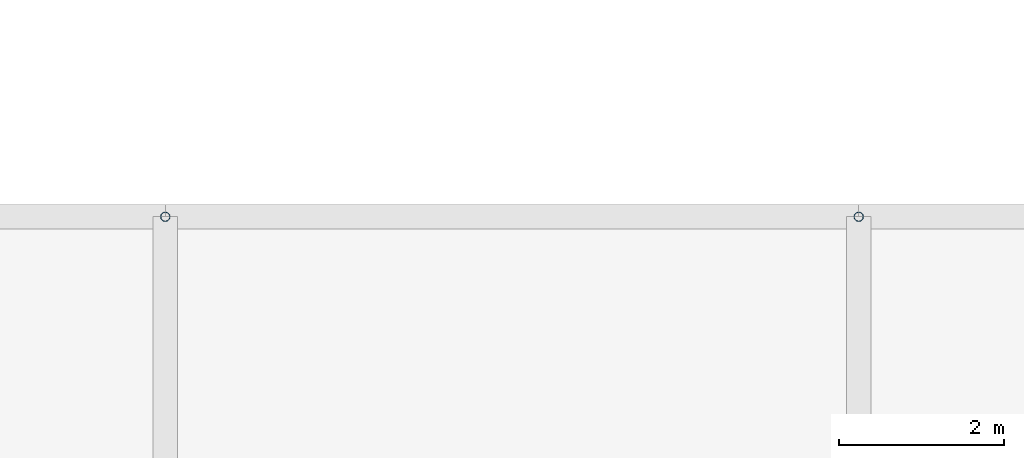
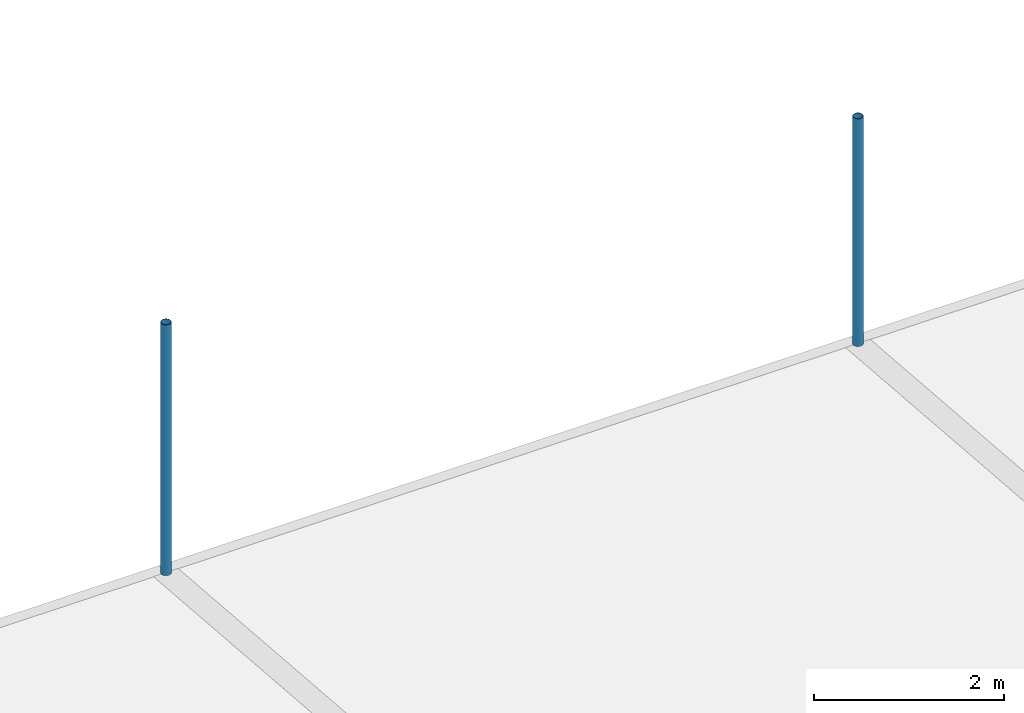
# One storey, part 29 of 37: 2 discrete accessories.
"""IFC4 building model written with IfcOpenShell, lengths in metres."""

from ifc_helpers import new_model, si_unit, direction, frame, origin, origin_2d, place, context, subcontext, project, spatial, hollow_circle, extrude, material, material_profile, profile_set, type_object, element, save


model = new_model("IFC4")

# Units and contexts
model_context = context("Model", 3, precision=1e-05, world=origin(), true_north=direction((0.0, 1.0)))
body_context = subcontext(model_context, "Body", "Model", "MODEL_VIEW")
ifc_project = project(units=[si_unit("LENGTHUNIT", "METRE"), si_unit("AREAUNIT", "SQUARE_METRE"), si_unit("VOLUMEUNIT", "CUBIC_METRE"), si_unit("PLANEANGLEUNIT", "RADIAN"), si_unit("MASSUNIT", "GRAM", prefix="KILO")], contexts=[model_context])

# Site, building, storey
site_placement = place(None, origin())
site = spatial("IfcSite", under=ifc_project, at=site_placement, CompositionType="ELEMENT")
building_placement = place(site_placement, origin())
building = spatial("IfcBuilding", under=site, at=building_placement, Name="Rain Tree Exposition and Congress Centre", CompositionType="ELEMENT")
storey_placement = place(building_placement, frame((0.0, 0.0, 25.0)))
storey = spatial("IfcBuildingStorey", under=building, at=storey_placement, Name="ROOF VAULT LOW", CompositionType="ELEMENT", Elevation=25.0)

# Discrete accessories
ifc_material = material(Name="Steel S355J2H", Category="steel")
ifc_material_profile = material_profile(ifc_material, hollow_circle(Radius=0.05712890625, WallThickness=0.00439453125, at=origin_2d()), Name="CHS 114x4.5")
ifc_profile_set = profile_set([ifc_material_profile], Name="Steel S355J2H")
discrete_accessory_type = type_object("IfcDiscreteAccessoryType", Name="Roof skin post CHS 114x4.5", PredefinedType="BRACKET", material=ifc_profile_set)
discrete_accessory_1_placement = place(storey_placement, frame((16.800048828125, 168.0, 0.4892578125), z_axis=(0.0, 0.0, 1.0), x_axis=(1.0, 0.0, 0.0)))
element("IfcDiscreteAccessory", 1, at=discrete_accessory_1_placement, inside=storey, type_object=discrete_accessory_type, Name="Roof skin post A122", PredefinedType="BRACKET", context=body_context, shape_type="SweptSolid", body=[
    extrude(hollow_circle(Radius=0.05712890625, WallThickness=0.00439453125, at=origin_2d()), origin(), (0.0, 0.0, 1.0), 3.220458984375),
])
discrete_accessory_2_placement = place(storey_placement, frame((25.199951171875, 168.0, 0.4892578125), z_axis=(0.0, 0.0, 1.0), x_axis=(1.0, 0.0, 0.0)))
element("IfcDiscreteAccessory", 2, at=discrete_accessory_2_placement, inside=storey, type_object=discrete_accessory_type, Name="Roof skin post A123", PredefinedType="BRACKET", context=body_context, shape_type="SweptSolid", body=[
    extrude(hollow_circle(Radius=0.05712890625, WallThickness=0.00439453125, at=origin_2d()), origin(), (0.0, 0.0, 1.0), 2.924072265625),
])

save(model, "model.ifc")
